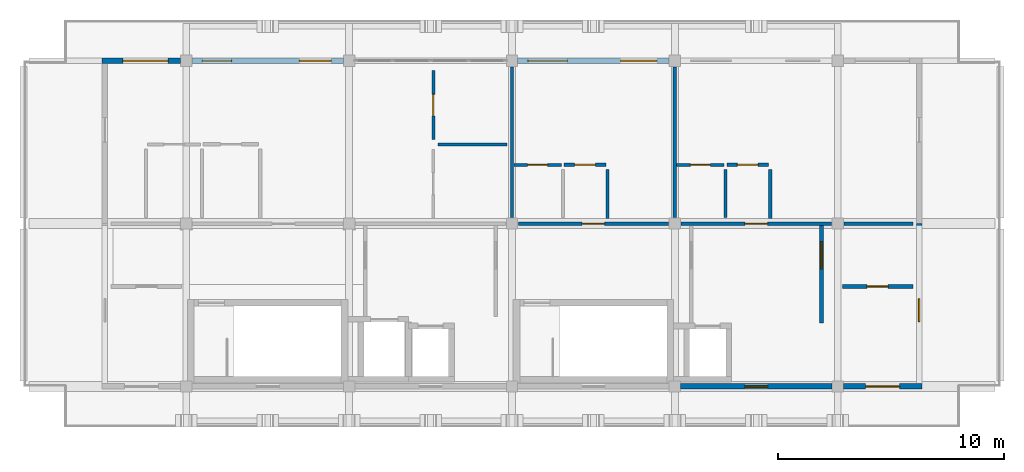
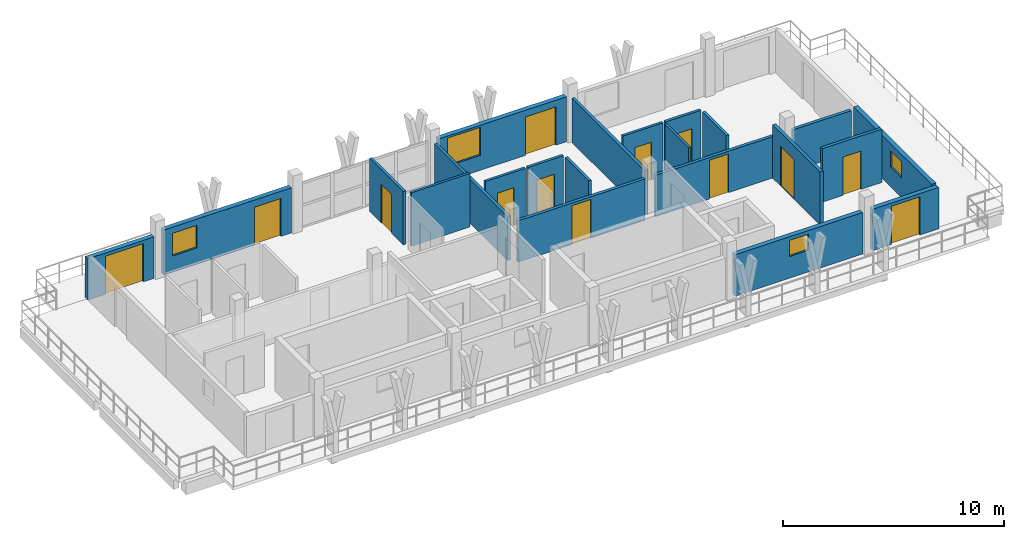
# One storey, part 5 of 7: 22 walls, 13 doors, 4 windows, 17 openings.
"""IFC4 building model written with IfcOpenShell, lengths in metres."""

from ifc_helpers import new_model, si_unit, direction, frame, frame_2d, origin, place, context, subcontext, project, spatial, rectangle, extrude, material, layer, layer_set, type_object, element, fill, save


model = new_model("IFC4")

# Units and contexts
model_context = context("Model", 3, precision=1e-05, world=origin(), true_north=direction((0.0, 1.0)))
body_context = subcontext(model_context, "Body", "Model", "MODEL_VIEW")
ifc_project = project(units=[si_unit("LENGTHUNIT", "METRE"), si_unit("AREAUNIT", "SQUARE_METRE"), si_unit("VOLUMEUNIT", "CUBIC_METRE"), si_unit("PLANEANGLEUNIT", "RADIAN"), si_unit("MASSUNIT", "GRAM", prefix="KILO")], contexts=[model_context])

# Site, building, storey
site_placement = place(None, origin())
site = spatial("IfcSite", under=ifc_project, at=site_placement, CompositionType="ELEMENT")
building_placement = place(site_placement, origin())
building = spatial("IfcBuilding", under=site, at=building_placement, Name="Suanplinth Sawtooth Commons", CompositionType="ELEMENT")
storey_placement = place(building_placement, frame((0.0, 0.0, 50.89990234375)))
storey = spatial("IfcBuildingStorey", under=building, at=storey_placement, Name="L15", CompositionType="ELEMENT", Elevation=50.89990234375)

# Wall, opening, door
ifc_material_1 = material(Name="Precast concrete C40/50", Category="concrete")
ifc_layer_1 = layer(ifc_material_1, 0.239990234375, Name="Upper insulated precast facade wall 240mm")
ifc_layer_set_1 = layer_set([ifc_layer_1], Name="Precast concrete C40/50")
wall_type_1 = type_object("IfcWallType", Name="W-EX03", PredefinedType="ELEMENTEDWALL", material=ifc_layer_set_1)
wall_1_placement = place(storey_placement, frame((39.47998046875, 122.39990234375, 0.0), z_axis=(0.0, 0.0, 1.0), x_axis=(1.0, 0.0, 0.0)))
wall_1 = element("IfcWall", 1, at=wall_1_placement, inside=storey, type_object=wall_type_1, Name="Facade Wall W-L15-A-N-0", PredefinedType="ELEMENTEDWALL", context=body_context, shape_type="SweptSolid", body=[
    extrude(rectangle(XDim=3.469970703125, YDim=0.239990234375, at=frame_2d((1.73486328125, 0.0))), origin(), (0.0, 0.0, 1.0), 2.295166015625),
])
opening_1_placement = place(wall_1_placement, frame((0.919921875, 0.0, 0.0)))
opening_1 = element("IfcOpeningElement", 2, at=opening_1_placement, cuts=wall_1, Name="Opening ED0854", PredefinedType="OPENING", context=body_context, shape_type="SweptSolid", body=[
    extrude(rectangle(XDim=2.0, YDim=2.1201171875, at=frame_2d((1.0, 1.06005859375))), frame((0.0, 0.134765625, 0.0), z_axis=(0.0, -1.0, 0.0), x_axis=(1.0, 0.0, 0.0)), (0.0, 0.0, 1.0), 0.269775390625),
])
ifc_material_2 = material(Name="Anodized aluminium and low-E glass", Category="aluminium")
door_type_1 = type_object("IfcDoorType", Name="SD-06", OperationType="DOUBLE_DOOR_SLIDING", PredefinedType="DOOR", material=ifc_material_2)
door_1_placement = place(opening_1_placement, frame((2.0, 0.0, 0.0), z_axis=(0.0, 0.0, 1.0), x_axis=(-1.0, 0.0, 0.0)))
door_1 = element("IfcDoor", 3, at=door_1_placement, inside=storey, type_object=door_type_1, Name="Balcony Sliding Door L15-A-N-0", OperationType="DOUBLE_DOOR_SLIDING", OverallHeight=2.1201171875, OverallWidth=2.0, PredefinedType="DOOR", context=body_context, shape_type="SweptSolid", body=[
    extrude(rectangle(XDim=2.0, YDim=2.1201171875, at=frame_2d((1.0, 1.06005859375))), frame((0.0, 0.02490234375, 0.0), z_axis=(0.0, -1.0, 0.0), x_axis=(1.0, 0.0, 0.0)), (0.0, 0.0, 1.0), 0.050048828125),
])
fill(opening_1, door_1)

# Wall, openings, door, window
wall_2_placement = place(storey_placement, frame((43.449951171875, 122.39990234375, 0.0), z_axis=(0.0, 0.0, 1.0), x_axis=(1.0, 0.0, 0.0)))
wall_2 = element("IfcWall", 4, at=wall_2_placement, inside=storey, type_object=wall_type_1, Name="Facade Wall W-L15-A-N-1", PredefinedType="ELEMENTEDWALL", context=body_context, shape_type="SweptSolid", body=[
    extrude(rectangle(XDim=6.699951171875, YDim=0.239990234375, at=frame_2d((3.35009765625, 0.0))), origin(), (0.0, 0.0, 1.0), 2.4951171875),
])
opening_2_placement = place(wall_2_placement, frame((4.75, 0.0, 0.0)))
opening_2 = element("IfcOpeningElement", 5, at=opening_2_placement, cuts=wall_2, Name="Opening ED0856", PredefinedType="OPENING", context=body_context, shape_type="SweptSolid", body=[
    extrude(rectangle(XDim=1.39990234375, YDim=2.10009765625, at=frame_2d((0.699951171875, 1.050048828125))), frame((0.0, 0.134765625, 0.0), z_axis=(0.0, -1.0, 0.0), x_axis=(1.0, 0.0, 0.0)), (0.0, 0.0, 1.0), 0.269775390625),
])
opening_3_placement = place(wall_2_placement, frame((0.449951171875, 0.0, 0.89990234375)))
opening_3 = element("IfcOpeningElement", 6, at=opening_3_placement, cuts=wall_2, Name="Opening W0938", PredefinedType="OPENING", context=body_context, shape_type="SweptSolid", body=[
    extrude(rectangle(XDim=1.300048828125, YDim=1.25, at=frame_2d((0.64990234375, 0.625))), frame((0.0, 0.134765625, 0.0), z_axis=(0.0, -1.0, 0.0), x_axis=(1.0, 0.0, 0.0)), (0.0, 0.0, 1.0), 0.269775390625),
])
door_type_2 = type_object("IfcDoorType", Name="SD-07", OperationType="SLIDING_TO_RIGHT", PredefinedType="DOOR", material=ifc_material_2)
door_2_placement = place(opening_2_placement, frame((1.39990234375, 0.0, 0.0), z_axis=(0.0, 0.0, 1.0), x_axis=(-1.0, 0.0, 0.0)))
door_2 = element("IfcDoor", 7, at=door_2_placement, inside=storey, type_object=door_type_2, Name="Balcony Sliding Door L15-A-N-1", OperationType="SLIDING_TO_RIGHT", OverallHeight=2.10009765625, OverallWidth=1.39990234375, PredefinedType="DOOR", context=body_context, shape_type="SweptSolid", body=[
    extrude(rectangle(XDim=1.39990234375, YDim=2.10009765625, at=frame_2d((0.699951171875, 1.050048828125))), frame((0.0, 0.02490234375, 0.0), z_axis=(0.0, -1.0, 0.0), x_axis=(1.0, 0.0, 0.0)), (0.0, 0.0, 1.0), 0.050048828125),
])
fill(opening_2, door_2)
ifc_material_3 = material(Name="Thermally broken aluminium and low-E double glazing", Category="aluminium")
window_type_1 = type_object("IfcWindowType", Name="WN-24", PartitioningType="SINGLE_PANEL", PredefinedType="WINDOW", material=ifc_material_3)
window_1_placement = place(opening_3_placement, origin())
window_1 = element("IfcWindow", 8, at=window_1_placement, inside=storey, type_object=window_type_1, Name="Window L15-A-N-1", OverallHeight=1.25, OverallWidth=1.300048828125, PartitioningType="SINGLE_PANEL", PredefinedType="WINDOW", context=body_context, shape_type="SweptSolid", body=[
    extrude(rectangle(XDim=1.300048828125, YDim=1.25, at=frame_2d((0.64990234375, 0.625))), frame((0.0, 0.030029296875, 0.0), z_axis=(0.0, -1.0, 0.0), x_axis=(1.0, 0.0, 0.0)), (0.0, 0.0, 1.0), 0.06005859375),
])
fill(opening_3, window_1)

wall_3_placement = place(storey_placement, frame((57.85009765625, 122.39990234375, 0.0), z_axis=(0.0, 0.0, 1.0), x_axis=(1.0, 0.0, 0.0)))
wall_3 = element("IfcWall", 9, at=wall_3_placement, inside=storey, type_object=wall_type_1, Name="Facade Wall W-L15-A-N-3", PredefinedType="ELEMENTEDWALL", context=body_context, shape_type="SweptSolid", body=[
    extrude(rectangle(XDim=6.699951171875, YDim=0.239990234375, at=frame_2d((3.35009765625, 0.0))), origin(), (0.0, 0.0, 1.0), 2.4951171875),
])
opening_4_placement = place(wall_3_placement, frame((4.550048828125, 0.0, 0.0)))
opening_4 = element("IfcOpeningElement", 10, at=opening_4_placement, cuts=wall_3, Name="Opening ED0857", PredefinedType="OPENING", context=body_context, shape_type="SweptSolid", body=[
    extrude(rectangle(XDim=1.60009765625, YDim=2.1201171875, at=frame_2d((0.800048828125, 1.06005859375))), frame((0.0, 0.134765625, 0.0), z_axis=(0.0, -1.0, 0.0), x_axis=(1.0, 0.0, 0.0)), (0.0, 0.0, 1.0), 0.269775390625),
])
opening_5_placement = place(wall_3_placement, frame((0.449951171875, 0.0, 0.8349609375)))
opening_5 = element("IfcOpeningElement", 11, at=opening_5_placement, cuts=wall_3, Name="Opening W0941", PredefinedType="OPENING", context=body_context, shape_type="SweptSolid", body=[
    extrude(rectangle(XDim=1.75, YDim=1.550048828125, at=frame_2d((0.875, 0.77490234375))), frame((0.0, 0.134765625, 0.0), z_axis=(0.0, -1.0, 0.0), x_axis=(1.0, 0.0, 0.0)), (0.0, 0.0, 1.0), 0.269775390625),
])
door_type_3 = type_object("IfcDoorType", Name="SD-02", OperationType="SLIDING_TO_RIGHT", PredefinedType="DOOR", material=ifc_material_2)
door_3_placement = place(opening_4_placement, frame((1.60009765625, 0.0, 0.0), z_axis=(0.0, 0.0, 1.0), x_axis=(-1.0, 0.0, 0.0)))
door_3 = element("IfcDoor", 12, at=door_3_placement, inside=storey, type_object=door_type_3, Name="Balcony Sliding Door L15-A-N-3", OperationType="SLIDING_TO_RIGHT", OverallHeight=2.1201171875, OverallWidth=1.60009765625, PredefinedType="DOOR", context=body_context, shape_type="SweptSolid", body=[
    extrude(rectangle(XDim=1.60009765625, YDim=2.1201171875, at=frame_2d((0.800048828125, 1.06005859375))), frame((0.0, 0.02490234375, 0.0), z_axis=(0.0, -1.0, 0.0), x_axis=(1.0, 0.0, 0.0)), (0.0, 0.0, 1.0), 0.050048828125),
])
fill(opening_4, door_3)
window_type_2 = type_object("IfcWindowType", Name="WN-26", PartitioningType="DOUBLE_PANEL_VERTICAL", PredefinedType="WINDOW", material=ifc_material_3)
window_2_placement = place(opening_5_placement, origin())
window_2 = element("IfcWindow", 13, at=window_2_placement, inside=storey, type_object=window_type_2, Name="Window L15-A-N-3", OverallHeight=1.550048828125, OverallWidth=1.75, PartitioningType="DOUBLE_PANEL_VERTICAL", PredefinedType="WINDOW", context=body_context, shape_type="SweptSolid", body=[
    extrude(rectangle(XDim=1.75, YDim=1.550048828125, at=frame_2d((0.875, 0.77490234375))), frame((0.0, 0.030029296875, 0.0), z_axis=(0.0, -1.0, 0.0), x_axis=(1.0, 0.0, 0.0)), (0.0, 0.0, 1.0), 0.06005859375),
])
fill(opening_5, window_2)

# Wall, opening, window
wall_4_placement = place(storey_placement, frame((65.050048828125, 108.0, 0.0), z_axis=(0.0, 0.0, 1.0), x_axis=(1.0, 0.0, 0.0)))
wall_4 = element("IfcWall", 14, at=wall_4_placement, inside=storey, type_object=wall_type_1, Name="Courtyard Wall W-L15-A-S-4", PredefinedType="ELEMENTEDWALL", context=body_context, shape_type="SweptSolid", body=[
    extrude(rectangle(XDim=6.699951171875, YDim=0.239990234375, at=frame_2d((3.35009765625, 0.0))), origin(), (0.0, 0.0, 1.0), 2.295166015625),
])
opening_6_placement = place(wall_4_placement, frame((2.85009765625, 0.0, 1.199951171875)))
opening_6 = element("IfcOpeningElement", 15, at=opening_6_placement, cuts=wall_4, Name="Opening W0944", PredefinedType="OPENING", context=body_context, shape_type="SweptSolid", body=[
    extrude(rectangle(XDim=1.0, YDim=0.89990234375, at=frame_2d((0.5, 0.449951171875))), frame((0.0, 0.134765625, 0.0), z_axis=(0.0, -1.0, 0.0), x_axis=(1.0, 0.0, 0.0)), (0.0, 0.0, 1.0), 0.269775390625),
])
window_type_3 = type_object("IfcWindowType", Name="WN-12", PartitioningType="SINGLE_PANEL", PredefinedType="WINDOW", material=ifc_material_3)
window_3_placement = place(opening_6_placement, origin())
window_3 = element("IfcWindow", 16, at=window_3_placement, inside=storey, type_object=window_type_3, Name="Core Daylight Window L15-A-4", OverallHeight=0.89990234375, OverallWidth=1.0, PartitioningType="SINGLE_PANEL", PredefinedType="WINDOW", context=body_context, shape_type="SweptSolid", body=[
    extrude(rectangle(XDim=1.0, YDim=0.89990234375, at=frame_2d((0.5, 0.449951171875))), frame((0.0, 0.030029296875, 0.0), z_axis=(0.0, -1.0, 0.0), x_axis=(1.0, 0.0, 0.0)), (0.0, 0.0, 1.0), 0.06005859375),
])
fill(opening_6, window_3)

# Wall, opening, door
wall_5_placement = place(storey_placement, frame((72.25, 108.0, 0.0), z_axis=(0.0, 0.0, 1.0), x_axis=(1.0, 0.0, 0.0)))
wall_5 = element("IfcWall", 17, at=wall_5_placement, inside=storey, type_object=wall_type_1, Name="Courtyard Wall W-L15-A-S-5", PredefinedType="ELEMENTEDWALL", context=body_context, shape_type="SweptSolid", body=[
    extrude(rectangle(XDim=3.469970703125, YDim=0.239990234375, at=frame_2d((1.73486328125, 0.0))), origin(), (0.0, 0.0, 1.0), 2.295166015625),
])
opening_7_placement = place(wall_5_placement, frame((0.985107421875, 0.0, 0.0)))
opening_7 = element("IfcOpeningElement", 18, at=opening_7_placement, cuts=wall_5, Name="Opening ED0860", PredefinedType="OPENING", context=body_context, shape_type="SweptSolid", body=[
    extrude(rectangle(XDim=1.5, YDim=2.1201171875, at=frame_2d((0.75, 1.06005859375))), frame((0.0, 0.134765625, 0.0), z_axis=(0.0, -1.0, 0.0), x_axis=(1.0, 0.0, 0.0)), (0.0, 0.0, 1.0), 0.269775390625),
])
door_type_4 = type_object("IfcDoorType", Name="SD-03", OperationType="SLIDING_TO_LEFT", PredefinedType="DOOR", material=ifc_material_2)
door_4_placement = place(opening_7_placement, frame((1.5, 0.0, 0.0), z_axis=(0.0, 0.0, 1.0), x_axis=(-1.0, 0.0, 0.0)))
door_4 = element("IfcDoor", 19, at=door_4_placement, inside=storey, type_object=door_type_4, Name="Courtyard Balcony Sliding Door L15-A-S-5", OperationType="SLIDING_TO_LEFT", OverallHeight=2.1201171875, OverallWidth=1.5, PredefinedType="DOOR", context=body_context, shape_type="SweptSolid", body=[
    extrude(rectangle(XDim=1.5, YDim=2.1201171875, at=frame_2d((0.75, 1.06005859375))), frame((0.0, 0.02490234375, 0.0), z_axis=(0.0, -1.0, 0.0), x_axis=(1.0, 0.0, 0.0)), (0.0, 0.0, 1.0), 0.050048828125),
])
fill(opening_7, door_4)

# Wall, opening, window
ifc_layer_2 = layer(ifc_material_1, 0.22998046875, Name="Stepped terrace insulated precast wall 230mm")
ifc_layer_set_2 = layer_set([ifc_layer_2], Name="Precast concrete C40/50")
wall_type_2 = type_object("IfcWallType", Name="W-EX06", PredefinedType="ELEMENTEDWALL", material=ifc_layer_set_2)
wall_6_placement = place(storey_placement, frame((75.60009765625, 108.1201171875, 0.0), z_axis=(0.0, 0.0, 1.0), x_axis=(0.0, 1.0, 0.0)))
wall_6 = element("IfcWall", 20, at=wall_6_placement, inside=storey, type_object=wall_type_2, Name="End Wall W-L15-A-E-15", PredefinedType="ELEMENTEDWALL", context=body_context, shape_type="SweptSolid", body=[
    extrude(rectangle(XDim=7.079833984375, YDim=0.22998046875, at=frame_2d((3.5400390625, 0.0))), origin(), (0.0, 0.0, 1.0), 2.39501953125),
])
opening_8_placement = place(wall_6_placement, frame((2.75, 0.0, 1.10009765625)))
opening_8 = element("IfcOpeningElement", 21, at=opening_8_placement, cuts=wall_6, Name="Opening W0946", PredefinedType="OPENING", context=body_context, shape_type="SweptSolid", body=[
    extrude(rectangle(XDim=1.0, YDim=0.89990234375, at=frame_2d((0.5, 0.449951171875))), frame((0.0, 0.1298828125, 0.0), z_axis=(0.0, -1.0, 0.0), x_axis=(1.0, 0.0, 0.0)), (0.0, 0.0, 1.0), 0.259765625),
])
window_4_placement = place(opening_8_placement, origin())
window_4 = element("IfcWindow", 22, at=window_4_placement, inside=storey, type_object=window_type_3, Name="End Window L15-A-E-15", OverallHeight=0.89990234375, OverallWidth=1.0, PartitioningType="SINGLE_PANEL", PredefinedType="WINDOW", context=body_context, shape_type="SweptSolid", body=[
    extrude(rectangle(XDim=1.0, YDim=0.89990234375, at=frame_2d((0.5, 0.449951171875))), frame((0.0, 0.030029296875, 0.0), z_axis=(0.0, -1.0, 0.0), x_axis=(1.0, 0.0, 0.0)), (0.0, 0.0, 1.0), 0.06005859375),
])
fill(opening_8, window_4)

# Wall, opening, door
ifc_layer_3 = layer(ifc_material_1, 0.159912109375, Name="Fire-rated corridor and lobby wall 160mm")
ifc_layer_set_3 = layer_set([ifc_layer_3], Name="Precast concrete C40/50")
wall_type_3 = type_object("IfcWallType", Name="W-FW01", PredefinedType="PARTITIONING", material=ifc_layer_set_3)
wall_7_placement = place(storey_placement, frame((71.280029296875, 110.800048828125, 0.0), z_axis=(0.0, 0.0, 1.0), x_axis=(0.0, 1.0, 0.0)))
wall_7 = element("IfcWall", 23, at=wall_7_placement, inside=storey, type_object=wall_type_3, Name="W-L15-C-A2-LOB-E", PredefinedType="PARTITIONING", context=body_context, shape_type="SweptSolid", body=[
    extrude(rectangle(XDim=4.320068359375, YDim=0.159912109375, at=frame_2d((2.16015625, 0.0))), origin(), (0.0, 0.0, 1.0), 2.960205078125),
])
opening_9_placement = place(wall_7_placement, frame((2.39990234375, 0.0, 0.0)))
opening_9 = element("IfcOpeningElement", 24, at=opening_9_placement, cuts=wall_7, Name="Opening FD0152", PredefinedType="OPENING", context=body_context, shape_type="SweptSolid", body=[
    extrude(rectangle(XDim=1.199951171875, YDim=2.199951171875, at=frame_2d((0.60009765625, 1.10009765625))), frame((0.0, 0.0947265625, 0.0), z_axis=(0.0, -1.0, 0.0), x_axis=(1.0, 0.0, 0.0)), (0.0, 0.0, 1.0), 0.189697265625),
])
ifc_material_4 = material(Name="Teak hardwood fire-rated door assembly", Category="wood")
door_type_5 = type_object("IfcDoorType", Name="FD-02", OperationType="NOTDEFINED", PredefinedType="DOOR", material=ifc_material_4)
door_5_placement = place(opening_9_placement, frame((1.199951171875, 0.0, 0.0), z_axis=(0.0, 0.0, 1.0), x_axis=(-1.0, 0.0, 0.0)))
door_5 = element("IfcDoor", 25, at=door_5_placement, inside=storey, type_object=door_type_5, Name="Lobby Fire Door FD0152", OperationType="SINGLE_SWING_LEFT", OverallHeight=2.199951171875, OverallWidth=1.199951171875, PredefinedType="DOOR", context=body_context, shape_type="SweptSolid", body=[
    extrude(rectangle(XDim=1.199951171875, YDim=2.199951171875, at=frame_2d((0.60009765625, 1.10009765625))), frame((0.0, 0.02490234375, 0.0), z_axis=(0.0, -1.0, 0.0), x_axis=(1.0, 0.0, 0.0)), (0.0, 0.0, 1.0), 0.050048828125),
])
fill(opening_9, door_5)

wall_8_placement = place(storey_placement, frame((57.8798828125, 115.199951171875, 0.0), z_axis=(0.0, 0.0, 1.0), x_axis=(1.0, 0.0, 0.0)))
wall_8 = element("IfcWall", 26, at=wall_8_placement, inside=storey, type_object=wall_type_3, Name="W-A-L15-U02-COR", PredefinedType="PARTITIONING", context=body_context, shape_type="SweptSolid", body=[
    extrude(rectangle(XDim=6.64013671875, YDim=0.159912109375, at=frame_2d((3.320068359375, 0.0))), origin(), (0.0, 0.0, 1.0), 2.295166015625),
])
opening_10_placement = place(wall_8_placement, frame((2.820068359375, 0.0, 0.0)))
opening_10 = element("IfcOpeningElement", 27, at=opening_10_placement, cuts=wall_8, Name="Opening FD2079", PredefinedType="OPENING", context=body_context, shape_type="SweptSolid", body=[
    extrude(rectangle(XDim=1.0, YDim=2.14990234375, at=frame_2d((0.5, 1.074951171875))), frame((0.0, 0.0947265625, 0.0), z_axis=(0.0, -1.0, 0.0), x_axis=(1.0, 0.0, 0.0)), (0.0, 0.0, 1.0), 0.189697265625),
])
door_type_6 = type_object("IfcDoorType", Name="FD-03", OperationType="NOTDEFINED", PredefinedType="DOOR", material=ifc_material_4)
door_6_placement = place(opening_10_placement, origin())
door_6 = element("IfcDoor", 28, at=door_6_placement, inside=storey, type_object=door_type_6, Name="Unit Entrance Door FD2079", OperationType="SINGLE_SWING_LEFT", OverallHeight=2.14990234375, OverallWidth=1.0, PredefinedType="DOOR", context=body_context, shape_type="SweptSolid", body=[
    extrude(rectangle(XDim=1.0, YDim=2.14990234375, at=frame_2d((0.5, 1.074951171875))), frame((0.0, 0.02490234375, 0.0), z_axis=(0.0, -1.0, 0.0), x_axis=(1.0, 0.0, 0.0)), (0.0, 0.0, 1.0), 0.050048828125),
])
fill(opening_10, door_6)

wall_9_placement = place(storey_placement, frame((65.080078125, 115.199951171875, 0.0), z_axis=(0.0, 0.0, 1.0), x_axis=(1.0, 0.0, 0.0)))
wall_9 = element("IfcWall", 29, at=wall_9_placement, inside=storey, type_object=wall_type_3, Name="W-A-L15-U03-COR-S1", PredefinedType="PARTITIONING", context=body_context, shape_type="SweptSolid", body=[
    extrude(rectangle(XDim=6.639892578125, YDim=0.159912109375, at=frame_2d((3.31982421875, 0.0))), origin(), (0.0, 0.0, 1.0), 2.295166015625),
])
opening_11_placement = place(wall_9_placement, frame((2.820068359375, 0.0, 0.0)))
opening_11 = element("IfcOpeningElement", 30, at=opening_11_placement, cuts=wall_9, Name="Opening FD2082", PredefinedType="OPENING", context=body_context, shape_type="SweptSolid", body=[
    extrude(rectangle(XDim=1.0, YDim=2.14990234375, at=frame_2d((0.5, 1.074951171875))), frame((0.0, 0.0947265625, 0.0), z_axis=(0.0, -1.0, 0.0), x_axis=(1.0, 0.0, 0.0)), (0.0, 0.0, 1.0), 0.189697265625),
])
door_7_placement = place(opening_11_placement, origin())
door_7 = element("IfcDoor", 31, at=door_7_placement, inside=storey, type_object=door_type_6, Name="Unit Entrance Door FD2082", OperationType="SINGLE_SWING_RIGHT", OverallHeight=2.14990234375, OverallWidth=1.0, PredefinedType="DOOR", context=body_context, shape_type="SweptSolid", body=[
    extrude(rectangle(XDim=1.0, YDim=2.14990234375, at=frame_2d((0.5, 1.074951171875))), frame((0.0, 0.02490234375, 0.0), z_axis=(0.0, -1.0, 0.0), x_axis=(1.0, 0.0, 0.0)), (0.0, 0.0, 1.0), 0.050048828125),
])
fill(opening_11, door_7)

# Wall
wall_10_placement = place(storey_placement, frame((72.280029296875, 115.199951171875, 0.0), z_axis=(0.0, 0.0, 1.0), x_axis=(1.0, 0.0, 0.0)))
element("IfcWall", 32, at=wall_10_placement, inside=storey, type_object=wall_type_3, Name="W-A-L15-U03-COR-S2", PredefinedType="PARTITIONING", context=body_context, shape_type="SweptSolid", body=[
    extrude(rectangle(XDim=3.0400390625, YDim=0.159912109375, at=frame_2d((1.52001953125, 0.0))), origin(), (0.0, 0.0, 1.0), 2.295166015625),
])

# Wall, opening, door
wall_11_placement = place(storey_placement, frame((72.199951171875, 112.419921875, 0.0), z_axis=(0.0, 0.0, 1.0), x_axis=(1.0, 0.0, 0.0)))
wall_11 = element("IfcWall", 33, at=wall_11_placement, inside=storey, type_object=wall_type_3, Name="W-A-L15-COURTROOM-4-COR", PredefinedType="PARTITIONING", context=body_context, shape_type="SweptSolid", body=[
    extrude(rectangle(XDim=3.1201171875, YDim=0.159912109375, at=frame_2d((1.56005859375, 0.0))), origin(), (0.0, 0.0, 1.0), 2.960205078125),
])
opening_12_placement = place(wall_11_placement, frame((1.090087890625, 0.0, 0.0)))
opening_12 = element("IfcOpeningElement", 34, at=opening_12_placement, cuts=wall_11, Name="Opening D2086", PredefinedType="OPENING", context=body_context, shape_type="SweptSolid", body=[
    extrude(rectangle(XDim=0.93994140625, YDim=2.1201171875, at=frame_2d((0.469970703125, 1.06005859375))), frame((0.0, 0.0947265625, 0.0), z_axis=(0.0, -1.0, 0.0), x_axis=(1.0, 0.0, 0.0)), (0.0, 0.0, 1.0), 0.189697265625),
])
ifc_material_5 = material(Name="Teak hardwood", Category="wood")
door_type_7 = type_object("IfcDoorType", Name="D-15", OperationType="NOTDEFINED", PredefinedType="DOOR", material=ifc_material_5)
door_8_placement = place(opening_12_placement, frame((0.93994140625, 0.0, 0.0), z_axis=(0.0, 0.0, 1.0), x_axis=(-1.0, 0.0, 0.0)))
door_8 = element("IfcDoor", 35, at=door_8_placement, inside=storey, type_object=door_type_7, Name="Study Studio Door D2086", OperationType="SINGLE_SWING_RIGHT", OverallHeight=2.1201171875, OverallWidth=0.93994140625, PredefinedType="DOOR", context=body_context, shape_type="SweptSolid", body=[
    extrude(rectangle(XDim=0.93994140625, YDim=2.1201171875, at=frame_2d((0.469970703125, 1.06005859375))), frame((0.0, 0.02490234375, 0.0), z_axis=(0.0, -1.0, 0.0), x_axis=(1.0, 0.0, 0.0)), (0.0, 0.0, 1.0), 0.050048828125),
])
fill(opening_12, door_8)

# Walls
ifc_layer_4 = layer(ifc_material_1, 0.14990234375, Name="Acoustic precast party demising wall 150mm")
ifc_layer_set_4 = layer_set([ifc_layer_4], Name="Precast concrete C40/50")
wall_type_4 = type_object("IfcWallType", Name="W-FW02", PredefinedType="PARTITIONING", material=ifc_layer_set_4)
for number, where, z_axis, x_axis, name in (
    (36, (57.60009765625, 115.47998046875, 0.0), (0.0, 0.0, 1.0), (0.0, 1.0, 0.0), "W-A-L15-U01-PTY"),
    (37, (64.800048828125, 115.47998046875, 0.0), (0.0, 0.0, 1.0), (0.0, 1.0, 0.0), "W-A-L15-U02-PTY"),
):
    element("IfcWall", number, at=place(storey_placement, frame(where, z_axis=z_axis, x_axis=x_axis)), inside=storey, type_object=wall_type_4, Name=name, PredefinedType="PARTITIONING", context=body_context, shape_type="SweptSolid", body=[
        extrude(rectangle(XDim=6.64013671875, YDim=0.14990234375, at=frame_2d((3.320068359375, 0.0))), origin(), (0.0, 0.0, 1.0), 2.445068359375),
    ])

# Wall, opening, door
ifc_material_6 = material(Name="Gypsum plasterboard on steel stud", Category="steel")
ifc_layer_5 = layer(ifc_material_6, 0.139892578125, Name="Fire-rated kitchen partition 140mm")
ifc_layer_set_5 = layer_set([ifc_layer_5], Name="Gypsum plasterboard on steel stud")
wall_type_5 = type_object("IfcWallType", Name="W-PT01", PredefinedType="PARTITIONING", material=ifc_layer_set_5)
wall_12_placement = place(storey_placement, frame((59.89990234375, 117.800048828125, 0.0), z_axis=(0.0, 0.0, 1.0), x_axis=(1.0, 0.0, 0.0)))
wall_12 = element("IfcWall", 38, at=wall_12_placement, inside=storey, type_object=wall_type_5, Name="W-A-L15-U02-KIT1", PredefinedType="PARTITIONING", context=body_context, shape_type="SweptSolid", body=[
    extrude(rectangle(XDim=1.85009765625, YDim=0.139892578125, at=frame_2d((0.925048828125, 0.0))), origin(), (0.0, 0.0, 1.0), 2.960205078125),
])
opening_13_placement = place(wall_12_placement, frame((0.465087890625, 0.0, 0.0)))
opening_13 = element("IfcOpeningElement", 39, at=opening_13_placement, cuts=wall_12, Name="Opening D2081", PredefinedType="OPENING", context=body_context, shape_type="SweptSolid", body=[
    extrude(rectangle(XDim=0.919921875, YDim=2.10009765625, at=frame_2d((0.4599609375, 1.050048828125))), frame((0.0, 0.0849609375, 0.0), z_axis=(0.0, -1.0, 0.0), x_axis=(1.0, 0.0, 0.0)), (0.0, 0.0, 1.0), 0.169677734375),
])
door_type_8 = type_object("IfcDoorType", Name="D-02", OperationType="NOTDEFINED", PredefinedType="DOOR", material=ifc_material_5)
door_9_placement = place(opening_13_placement, frame((0.919921875, 0.0, 0.0), z_axis=(0.0, 0.0, 1.0), x_axis=(-1.0, 0.0, 0.0)))
door_9 = element("IfcDoor", 40, at=door_9_placement, inside=storey, type_object=door_type_8, Name="Kitchen Door D2081", OperationType="SINGLE_SWING_LEFT", OverallHeight=2.10009765625, OverallWidth=0.919921875, PredefinedType="DOOR", context=body_context, shape_type="SweptSolid", body=[
    extrude(rectangle(XDim=0.919921875, YDim=2.10009765625, at=frame_2d((0.4599609375, 1.050048828125))), frame((0.0, 0.02490234375, 0.0), z_axis=(0.0, -1.0, 0.0), x_axis=(1.0, 0.0, 0.0)), (0.0, 0.0, 1.0), 0.050048828125),
])
fill(opening_13, door_9)

# Wall
wall_13_placement = place(storey_placement, frame((61.820068359375, 115.429931640625, 0.0), z_axis=(0.0, 0.0, 1.0), x_axis=(0.0, 1.0, 0.0)))
element("IfcWall", 41, at=wall_13_placement, inside=storey, type_object=wall_type_5, Name="W-A-L15-U02-KIT2", PredefinedType="PARTITIONING", context=body_context, shape_type="SweptSolid", body=[
    extrude(rectangle(XDim=2.150146484375, YDim=0.139892578125, at=frame_2d((1.0751953125, 0.0))), origin(), (0.0, 0.0, 1.0), 2.960205078125),
])

# Wall, opening, door
wall_14_placement = place(storey_placement, frame((67.10009765625, 117.800048828125, 0.0), z_axis=(0.0, 0.0, 1.0), x_axis=(1.0, 0.0, 0.0)))
wall_14 = element("IfcWall", 42, at=wall_14_placement, inside=storey, type_object=wall_type_5, Name="W-A-L15-U03-KIT1", PredefinedType="PARTITIONING", context=body_context, shape_type="SweptSolid", body=[
    extrude(rectangle(XDim=1.849853515625, YDim=0.139892578125, at=frame_2d((0.9248046875, 0.0))), origin(), (0.0, 0.0, 1.0), 2.960205078125),
])
opening_14_placement = place(wall_14_placement, frame((0.465087890625, 0.0, 0.0)))
opening_14 = element("IfcOpeningElement", 43, at=opening_14_placement, cuts=wall_14, Name="Opening D2084", PredefinedType="OPENING", context=body_context, shape_type="SweptSolid", body=[
    extrude(rectangle(XDim=0.919921875, YDim=2.10009765625, at=frame_2d((0.4599609375, 1.050048828125))), frame((0.0, 0.0849609375, 0.0), z_axis=(0.0, -1.0, 0.0), x_axis=(1.0, 0.0, 0.0)), (0.0, 0.0, 1.0), 0.169677734375),
])
door_10_placement = place(opening_14_placement, frame((0.919921875, 0.0, 0.0), z_axis=(0.0, 0.0, 1.0), x_axis=(-1.0, 0.0, 0.0)))
door_10 = element("IfcDoor", 44, at=door_10_placement, inside=storey, type_object=door_type_8, Name="Kitchen Door D2084", OperationType="SINGLE_SWING_RIGHT", OverallHeight=2.10009765625, OverallWidth=0.919921875, PredefinedType="DOOR", context=body_context, shape_type="SweptSolid", body=[
    extrude(rectangle(XDim=0.919921875, YDim=2.10009765625, at=frame_2d((0.4599609375, 1.050048828125))), frame((0.0, 0.02490234375, 0.0), z_axis=(0.0, -1.0, 0.0), x_axis=(1.0, 0.0, 0.0)), (0.0, 0.0, 1.0), 0.050048828125),
])
fill(opening_14, door_10)

# Wall
wall_15_placement = place(storey_placement, frame((69.02001953125, 115.429931640625, 0.0), z_axis=(0.0, 0.0, 1.0), x_axis=(0.0, 1.0, 0.0)))
element("IfcWall", 45, at=wall_15_placement, inside=storey, type_object=wall_type_5, Name="W-A-L15-U03-KIT2", PredefinedType="PARTITIONING", context=body_context, shape_type="SweptSolid", body=[
    extrude(rectangle(XDim=2.150146484375, YDim=0.139892578125, at=frame_2d((1.0751953125, 0.0))), origin(), (0.0, 0.0, 1.0), 2.960205078125),
])

# Wall, opening, door
ifc_layer_6 = layer(ifc_material_6, 0.1298828125, Name="Moisture-resistant bathroom partition 130mm")
ifc_layer_set_6 = layer_set([ifc_layer_6], Name="Gypsum plasterboard on steel stud")
wall_type_6 = type_object("IfcWallType", Name="W-PT02", PredefinedType="PARTITIONING", material=ifc_layer_set_6)
wall_16_placement = place(storey_placement, frame((57.679931640625, 117.794921875, 0.0), z_axis=(0.0, 0.0, 1.0), x_axis=(1.0, 0.0, 0.0)))
wall_16 = element("IfcWall", 46, at=wall_16_placement, inside=storey, type_object=wall_type_6, Name="W-A-L15-U02-BTH1", PredefinedType="PARTITIONING", context=body_context, shape_type="SweptSolid", body=[
    extrude(rectangle(XDim=2.10009765625, YDim=0.1298828125, at=frame_2d((1.050048828125, 0.0))), origin(), (0.0, 0.0, 1.0), 2.960205078125),
])
opening_15_placement = place(wall_16_placement, frame((0.610107421875, 0.0, 0.0)))
opening_15 = element("IfcOpeningElement", 47, at=opening_15_placement, cuts=wall_16, Name="Opening D2080", PredefinedType="OPENING", context=body_context, shape_type="SweptSolid", body=[
    extrude(rectangle(XDim=0.8798828125, YDim=2.10009765625, at=frame_2d((0.43994140625, 1.050048828125))), frame((0.0, 0.079833984375, 0.0), z_axis=(0.0, -1.0, 0.0), x_axis=(1.0, 0.0, 0.0)), (0.0, 0.0, 1.0), 0.15966796875),
])
door_type_9 = type_object("IfcDoorType", Name="D-14", OperationType="NOTDEFINED", PredefinedType="DOOR", material=ifc_material_5)
door_11_placement = place(opening_15_placement, frame((0.8798828125, 0.0, 0.0), z_axis=(0.0, 0.0, 1.0), x_axis=(-1.0, 0.0, 0.0)))
door_11 = element("IfcDoor", 48, at=door_11_placement, inside=storey, type_object=door_type_9, Name="Bathroom Door D2080", OperationType="SINGLE_SWING_RIGHT", OverallHeight=2.10009765625, OverallWidth=0.8798828125, PredefinedType="DOOR", context=body_context, shape_type="SweptSolid", body=[
    extrude(rectangle(XDim=0.8798828125, YDim=2.10009765625, at=frame_2d((0.43994140625, 1.050048828125))), frame((0.0, 0.02490234375, 0.0), z_axis=(0.0, -1.0, 0.0), x_axis=(1.0, 0.0, 0.0)), (0.0, 0.0, 1.0), 0.050048828125),
])
fill(opening_15, door_11)

wall_17_placement = place(storey_placement, frame((64.8798828125, 117.794921875, 0.0), z_axis=(0.0, 0.0, 1.0), x_axis=(1.0, 0.0, 0.0)))
wall_17 = element("IfcWall", 49, at=wall_17_placement, inside=storey, type_object=wall_type_6, Name="W-A-L15-U03-BTH1", PredefinedType="PARTITIONING", context=body_context, shape_type="SweptSolid", body=[
    extrude(rectangle(XDim=2.10009765625, YDim=0.1298828125, at=frame_2d((1.050048828125, 0.0))), origin(), (0.0, 0.0, 1.0), 2.960205078125),
])
opening_16_placement = place(wall_17_placement, frame((0.610107421875, 0.0, 0.0)))
opening_16 = element("IfcOpeningElement", 50, at=opening_16_placement, cuts=wall_17, Name="Opening D2083", PredefinedType="OPENING", context=body_context, shape_type="SweptSolid", body=[
    extrude(rectangle(XDim=0.8798828125, YDim=2.10009765625, at=frame_2d((0.43994140625, 1.050048828125))), frame((0.0, 0.079833984375, 0.0), z_axis=(0.0, -1.0, 0.0), x_axis=(1.0, 0.0, 0.0)), (0.0, 0.0, 1.0), 0.15966796875),
])
door_12_placement = place(opening_16_placement, frame((0.8798828125, 0.0, 0.0), z_axis=(0.0, 0.0, 1.0), x_axis=(-1.0, 0.0, 0.0)))
door_12 = element("IfcDoor", 51, at=door_12_placement, inside=storey, type_object=door_type_9, Name="Bathroom Door D2083", OperationType="SINGLE_SWING_LEFT", OverallHeight=2.10009765625, OverallWidth=0.8798828125, PredefinedType="DOOR", context=body_context, shape_type="SweptSolid", body=[
    extrude(rectangle(XDim=0.8798828125, YDim=2.10009765625, at=frame_2d((0.43994140625, 1.050048828125))), frame((0.0, 0.02490234375, 0.0), z_axis=(0.0, -1.0, 0.0), x_axis=(1.0, 0.0, 0.0)), (0.0, 0.0, 1.0), 0.050048828125),
])
fill(opening_16, door_12)

# Walls
wall_18_placement = place(storey_placement, frame((67.044921875, 115.4599609375, 0.0), z_axis=(0.0, 0.0, 1.0), x_axis=(0.0, 1.0, 0.0)))
element("IfcWall", 52, at=wall_18_placement, inside=storey, type_object=wall_type_6, Name="W-A-L15-U03-BTH2", PredefinedType="PARTITIONING", context=body_context, shape_type="SweptSolid", body=[
    extrude(rectangle(XDim=2.130126953125, YDim=0.1298828125, at=frame_2d((1.06494140625, 0.0))), origin(), (0.0, 0.0, 1.0), 2.960205078125),
])
ifc_layer_7 = layer(ifc_material_6, 0.125, Name="Acoustic study partition 125mm")
ifc_layer_set_7 = layer_set([ifc_layer_7], Name="Gypsum plasterboard on steel stud")
wall_type_7 = type_object("IfcWallType", Name="W-PT06", PredefinedType="PARTITIONING", material=ifc_layer_set_7)
wall_19_placement = place(storey_placement, frame((54.320068359375, 118.699951171875, 0.0), z_axis=(0.0, 0.0, 1.0), x_axis=(1.0, 0.0, 0.0)))
element("IfcWall", 53, at=wall_19_placement, inside=storey, type_object=wall_type_7, Name="W-A-L15-U01-BEDDIV", PredefinedType="PARTITIONING", context=body_context, shape_type="SweptSolid", body=[
    extrude(rectangle(XDim=3.059814453125, YDim=0.125, at=frame_2d((1.52978515625, 0.0))), origin(), (0.0, 0.0, 1.0), 2.960205078125),
])

# Wall, opening, door
ifc_layer_8 = layer(ifc_material_6, 0.135009765625, Name="Insulated bedroom demising partition 135mm")
ifc_layer_set_8 = layer_set([ifc_layer_8], Name="Gypsum plasterboard on steel stud")
wall_type_8 = type_object("IfcWallType", Name="W-PT07", PredefinedType="PARTITIONING", material=ifc_layer_set_8)
wall_20_placement = place(storey_placement, frame((54.1201171875, 118.919921875, 0.0), z_axis=(0.0, 0.0, 1.0), x_axis=(0.0, 1.0, 0.0)))
wall_20 = element("IfcWall", 54, at=wall_20_placement, inside=storey, type_object=wall_type_8, Name="W-A-L15-U01-BED1", PredefinedType="PARTITIONING", context=body_context, shape_type="SweptSolid", body=[
    extrude(rectangle(XDim=3.0400390625, YDim=0.135009765625, at=frame_2d((1.52001953125, 0.0))), origin(), (0.0, 0.0, 1.0), 2.960205078125),
])
opening_17_placement = place(wall_20_placement, frame((1.044921875, 0.0, 0.0)))
opening_17 = element("IfcOpeningElement", 55, at=opening_17_placement, cuts=wall_20, Name="Opening D2077", PredefinedType="OPENING", context=body_context, shape_type="SweptSolid", body=[
    extrude(rectangle(XDim=0.949951171875, YDim=2.14990234375, at=frame_2d((0.47509765625, 1.074951171875))), frame((0.0, 0.08251953125, 0.0), z_axis=(0.0, -1.0, 0.0), x_axis=(1.0, 0.0, 0.0)), (0.0, 0.0, 1.0), 0.164794921875),
])
door_type_10 = type_object("IfcDoorType", Name="D-03", OperationType="NOTDEFINED", PredefinedType="DOOR", material=ifc_material_5)
door_13_placement = place(opening_17_placement, frame((0.949951171875, 0.0, 0.0), z_axis=(0.0, 0.0, 1.0), x_axis=(-1.0, 0.0, 0.0)))
door_13 = element("IfcDoor", 56, at=door_13_placement, inside=storey, type_object=door_type_10, Name="Bedroom Door D2077", OperationType="SINGLE_SWING_LEFT", OverallHeight=2.14990234375, OverallWidth=0.949951171875, PredefinedType="DOOR", context=body_context, shape_type="SweptSolid", body=[
    extrude(rectangle(XDim=0.949951171875, YDim=2.14990234375, at=frame_2d((0.47509765625, 1.074951171875))), frame((0.0, 0.02490234375, 0.0), z_axis=(0.0, -1.0, 0.0), x_axis=(1.0, 0.0, 0.0)), (0.0, 0.0, 1.0), 0.050048828125),
])
fill(opening_17, door_13)

save(model, "model.ifc")
